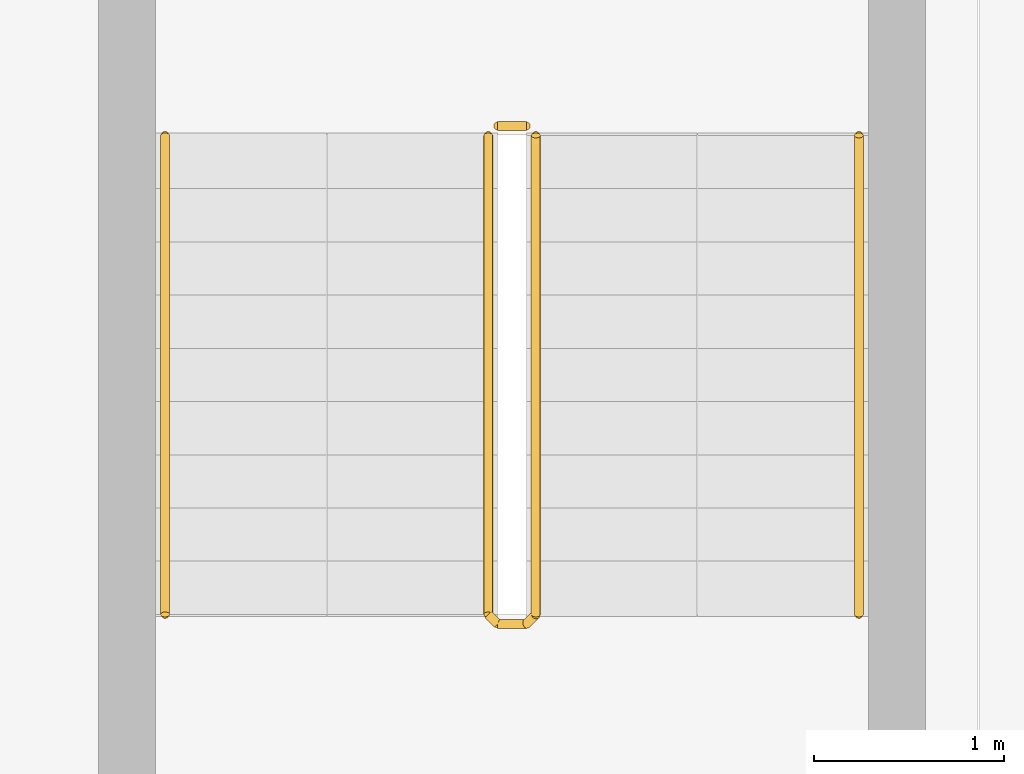
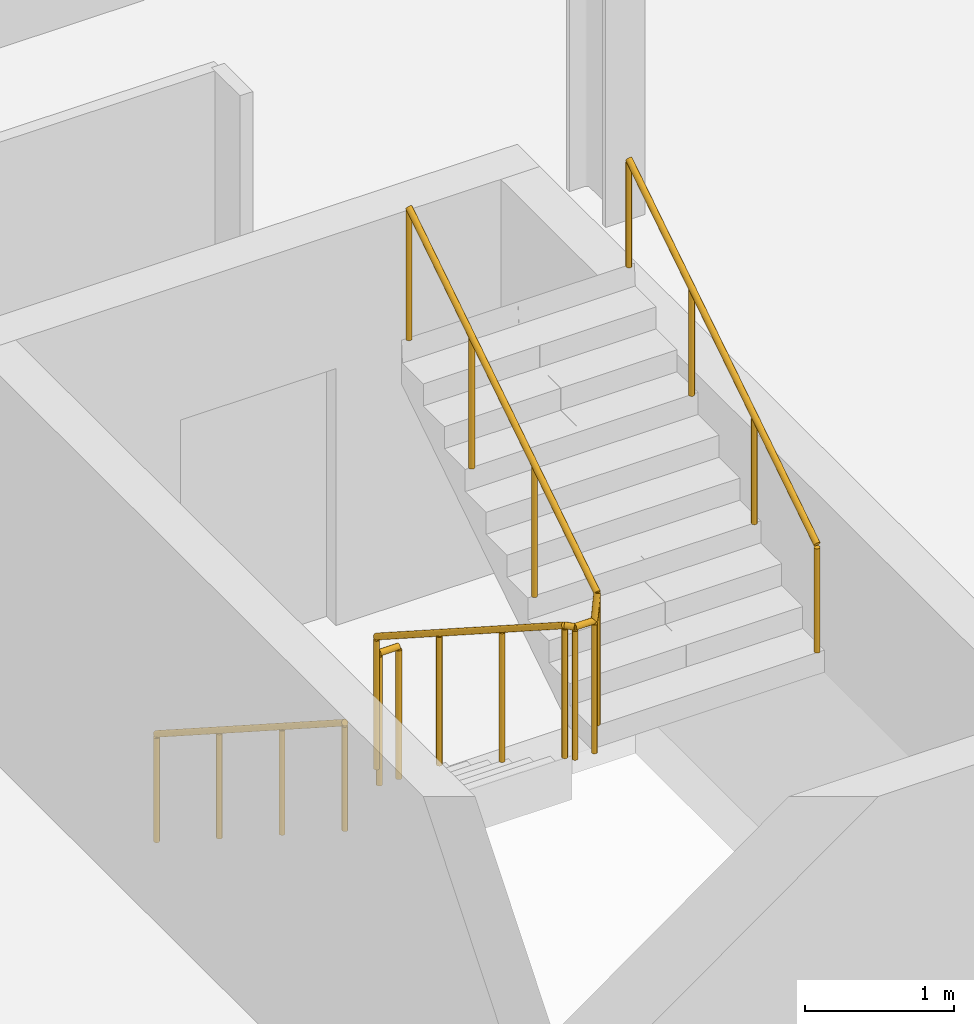
# One storey, part 25 of 27: 4 railings.
"""IFC4 building model written with IfcOpenShell, lengths in metres."""

import ifcopenshell
import ifcopenshell.guid

model = None  # the IFC model being written
_history = None  # IfcOwnerHistory: only IFC2X3 demands one
_inside = {}  # id of a spatial element -> (the spatial element, [elements in it])
_under = {}  # id of a project, library or spatial element -> (it, [spatial elements below it])
_declared = {}  # id of a project -> (the project, [libraries it declares])
_typed = {}  # id of a type object -> (the type object, [elements of that type])
_made_of = {}  # id of a material, layer set ... -> (it, [elements and type objects made of it])


def new_model(schema):
    """Start an empty IFC model of exactly this schema.

    Asked for "IFC4X3", IfcOpenShell would pick the latest addendum, in which some entities
    have other attributes; the version numbers below select the first issue.
    IFC2X3 requires an IfcOwnerHistory on every rooted entity: one is made here for all.
    """
    global model, _history
    if schema == "IFC4X3":
        model = ifcopenshell.file(schema_version=(4, 3, 0, 0))
    else:
        model = ifcopenshell.file(schema=schema)
    _inside.clear()
    _under.clear()
    _declared.clear()
    _typed.clear()
    _made_of.clear()
    _history = None
    if model.schema == "IFC2X3":
        org = make("IfcOrganization", Name="unknown")
        user = make(
            "IfcPersonAndOrganization",
            ThePerson=make("IfcPerson", FamilyName="unknown"),
            TheOrganization=org,
        )
        app = make(
            "IfcApplication",
            ApplicationDeveloper=org,
            Version="unknown",
            ApplicationFullName="unknown",
            ApplicationIdentifier="unknown",
        )
        _history = make(
            "IfcOwnerHistory",
            OwningUser=user,
            OwningApplication=app,
            ChangeAction="ADDED",
            CreationDate=0,
        )
    return model


def make(cls, **values):
    """One entity of the class cls with the attributes given. An attribute that is None is left unset."""
    return model.create_entity(
        cls, **{name: value for name, value in values.items() if value is not None}
    )


def rooted(cls, **values):
    """An entity with a GlobalId (a new one), such as an element, a storey or a relation."""
    return make(cls, GlobalId=ifcopenshell.guid.new(), OwnerHistory=_history, **values)


def si_unit(unit_type, name, prefix=None):
    """IfcSIUnit, for example si_unit("LENGTHUNIT", "METRE", prefix="MILLI")."""
    return make("IfcSIUnit", UnitType=unit_type, Prefix=prefix, Name=name)


def assignment(units):
    """IfcUnitAssignment: the units of a project."""
    return None if units is None else make("IfcUnitAssignment", Units=units)


def point(xyz):
    """IfcCartesianPoint."""
    return None if xyz is None else make("IfcCartesianPoint", Coordinates=xyz)


def direction(xyz):
    """IfcDirection."""
    return None if xyz is None else make("IfcDirection", DirectionRatios=xyz)


def frame(location, z_axis=None, x_axis=None):
    """IfcAxis2Placement3D, a coordinate frame: its origin and axes. An axis left out is left unset."""
    return make(
        "IfcAxis2Placement3D",
        Location=point(location),
        Axis=direction(z_axis),
        RefDirection=direction(x_axis),
    )


def frame_2d(location, x_axis=None):
    """IfcAxis2Placement2D, a coordinate frame in the plane: its origin and x axis."""
    return make(
        "IfcAxis2Placement2D", Location=point(location), RefDirection=direction(x_axis)
    )


def origin():
    """The frame at (0, 0, 0) with its axes left unset."""
    return frame((0.0, 0.0, 0.0))


def origin_2d():
    """The frame at (0, 0) in the plane with its x axis left unset."""
    return frame_2d((0.0, 0.0))


def place(relative_to, where):
    """IfcLocalPlacement: puts the frame where relative to a parent placement (None: the world)."""
    return make(
        "IfcLocalPlacement", PlacementRelTo=relative_to, RelativePlacement=where
    )


def context(
    kind, dimensions, precision=None, world=None, true_north=None, identifier=None
):
    """IfcGeometricRepresentationContext, for example the 3D "Model" context."""
    return make(
        "IfcGeometricRepresentationContext",
        ContextIdentifier=identifier,
        ContextType=kind,
        CoordinateSpaceDimension=dimensions,
        Precision=precision,
        WorldCoordinateSystem=world,
        TrueNorth=true_north,
    )


def subcontext(parent, identifier, kind, view, scale=None):
    """IfcGeometricRepresentationSubContext, for example "Body" below "Model"."""
    return make(
        "IfcGeometricRepresentationSubContext",
        ContextIdentifier=identifier,
        ContextType=kind,
        ParentContext=parent,
        TargetScale=scale,
        TargetView=view,
    )


def project(units=None, contexts=None):
    """IfcProject with its units and contexts."""
    return rooted(
        "IfcProject",
        Name="project",
        RepresentationContexts=contexts,
        UnitsInContext=assignment(units),
    )


def spatial(cls, under=None, at=None, **own):
    """A site, building, storey or space (cls), placed at a placement, below another one or the project."""
    s = rooted(cls, ObjectPlacement=at, **own)
    if under is not None:
        _under.setdefault(under.id(), (under, []))[1].append(s)
    return s


def profile(cls, at=None, kind="AREA", **sizes):
    """A parametric profile (cls). Its sizes go by their IFC names, for example OverallWidth=200.0."""
    return make(cls, ProfileType=kind, Position=at, **sizes)


def circle(**sizes):
    """IfcCircleProfileDef."""
    return profile("IfcCircleProfileDef", **sizes)


def extrude(swept, where, along, depth):
    """IfcExtrudedAreaSolid: the profile swept, set in the frame where, extruded along a direction by depth."""
    return make(
        "IfcExtrudedAreaSolid",
        SweptArea=swept,
        Position=where,
        ExtrudedDirection=direction(along),
        Depth=depth,
    )


def shape(context_of_items, identifier, shape_type, items):
    """IfcShapeRepresentation: the items that make up one representation, for example the "Body"."""
    return make(
        "IfcShapeRepresentation",
        ContextOfItems=context_of_items,
        RepresentationIdentifier=identifier,
        RepresentationType=shape_type,
        Items=items,
    )


def material(Name=None, Category=None):
    """IfcMaterial."""
    return make("IfcMaterial", Name=Name, Category=Category)


def made_of(thing, what):
    """Note that an element or type object is made of a material, layer set ...; save() writes the relation."""
    if what is not None:
        _made_of.setdefault(what.id(), (what, []))[1].append(thing)
    return thing


def type_object(cls, material=None, **own):
    """A type object (cls), such as IfcWallType, which elements share."""
    return made_of(rooted(cls, **own), material)


def element(
    cls,
    number,
    at=None,
    inside=None,
    cuts=None,
    type_object=None,
    material=None,
    context=None,
    identifier="Body",
    shape_type=None,
    held_by="IfcProductDefinitionShape",
    body=None,
    shapes=None,
    **own,
):
    """One element of the class cls, such as IfcWall. Its Tag is "e" and its number.

    at: its placement. inside: the storey or other place that contains it. cuts: it is an
    opening in that element (IfcRelVoidsElement). A single representation is given by context,
    identifier, shape_type and body (its items); several are given by shapes. held_by: the class
    of the entity that holds the representations. save() writes the other relations.
    """
    e = rooted(cls, Tag="e%d" % number, ObjectPlacement=at, **own)
    if body is not None:
        shapes = [shape(context, identifier, shape_type, body)]
    if shapes is not None:
        e.Representation = make(held_by, Representations=shapes)
    if inside is not None:
        _inside.setdefault(inside.id(), (inside, []))[1].append(e)
    if cuts is not None:
        rooted(
            "IfcRelVoidsElement", RelatingBuildingElement=cuts, RelatedOpeningElement=e
        )
    if type_object is not None:
        _typed.setdefault(type_object.id(), (type_object, []))[1].append(e)
    return made_of(e, material)


def aggregate(whole, parts):
    """IfcRelAggregates: a whole, such as a stair, and the parts it consists of."""
    return rooted("IfcRelAggregates", RelatingObject=whole, RelatedObjects=parts)


def save(model, path):
    """Write the relations noted so far, then the file.

    IfcRelAggregates (storeys below a building ...), IfcRelContainedInSpatialStructure (elements
    in a storey), IfcRelDefinesByType, IfcRelAssociatesMaterial and IfcRelDeclares: one each for
    every whole, place, type object, material and project.
    """
    for whole, parts in _under.values():
        aggregate(whole, parts)
    for where, things in _inside.values():
        rooted(
            "IfcRelContainedInSpatialStructure",
            RelatedElements=things,
            RelatingStructure=where,
        )
    for kind, things in _typed.values():
        rooted("IfcRelDefinesByType", RelatedObjects=things, RelatingType=kind)
    for what, things in _made_of.values():
        rooted("IfcRelAssociatesMaterial", RelatedObjects=things, RelatingMaterial=what)
    for by, libraries in _declared.values():
        rooted("IfcRelDeclares", RelatingContext=by, RelatedDefinitions=libraries)
    model.write(path)


model = new_model("IFC4")

# Units and contexts
model_context = context("Model", 3, precision=1e-05, world=origin(), true_north=direction((0.0, 1.0)))
body_context = subcontext(model_context, "Body", "Model", "MODEL_VIEW")
ifc_project = project(units=[si_unit("LENGTHUNIT", "METRE"), si_unit("AREAUNIT", "SQUARE_METRE"), si_unit("VOLUMEUNIT", "CUBIC_METRE"), si_unit("PLANEANGLEUNIT", "RADIAN"), si_unit("MASSUNIT", "GRAM", prefix="KILO")], contexts=[model_context])

# Site, building, storey
site_placement = place(None, origin())
site = spatial("IfcSite", under=ifc_project, at=site_placement, CompositionType="ELEMENT")
building_placement = place(site_placement, origin())
building = spatial("IfcBuilding", under=site, at=building_placement, Name="Wharfspan Tower", CompositionType="ELEMENT")
storey_placement = place(building_placement, frame((0.0, 0.0, 111.100098)))
storey = spatial("IfcBuildingStorey", under=building, at=storey_placement, Name="L25", CompositionType="ELEMENT", Elevation=111.100098)

# Railings
ifc_material = material(Name="Steel S355J2", Category="steel")
railing_type_1 = type_object("IfcRailingType", Name="Stair guard 1100", PredefinedType="GUARDRAIL", material=ifc_material)
railing_1_placement = place(storey_placement, frame((43.235352, 6.316895, 0.179932)))
element("IfcRailing", 1, at=railing_1_placement, inside=storey, type_object=railing_type_1, Name="L25 ST4 stair guard 1", PredefinedType="GUARDRAIL", context=body_context, shape_type="SweptSolid", body=[
    extrude(circle(Radius=0.023926, at=origin_2d()), frame((0.0, 0.0, 1.076172), z_axis=(0.0, -0.8412, 0.540725), x_axis=(1.0, 0.0, 0.0)), (0.0, 0.0, 1.0), 2.99585),
    extrude(circle(Radius=0.023926, at=origin_2d()), frame((0.0, -2.52002, 2.695801), z_axis=(0.707107, -0.707107, 0.0), x_axis=(0.707107, 0.707107, 0.0)), (0.0, 0.0, 1.0), 0.070312),
    extrude(circle(Radius=0.023926, at=origin_2d()), frame((0.049805, -2.569824, 2.695801), z_axis=(1.0, 0.0, 0.0), x_axis=(0.0, 1.0, 0.0)), (0.0, 0.0, 1.0), 0.150146),
    extrude(circle(Radius=0.023926, at=origin_2d()), frame((0.199951, -2.569824, 2.695801), z_axis=(0.258628, 0.257366, 0.931061), x_axis=(-0.705372, 0.708838, -2e-06)), (0.0, 0.0, 1.0), 0.193604),
    extrude(circle(Radius=0.023926, at=origin_2d()), frame((0.25, -2.52002, 2.875977), z_axis=(0.0, 0.8412, 0.540725), x_axis=(-1.0, 0.0, 0.0)), (0.0, 0.0, 1.0), 2.99585),
    extrude(circle(Radius=0.020996, at=origin_2d()), origin(), (0.0, 0.0, 1.0), 1.052002),
    extrude(circle(Radius=0.020996, at=origin_2d()), frame((0.0, -0.840088, 0.540039)), (0.0, 0.0, 1.0), 1.052002),
    extrude(circle(Radius=0.020996, at=origin_2d()), frame((0.0, -1.679932, 1.079834)), (0.0, 0.0, 1.0), 1.052002),
    extrude(circle(Radius=0.020996, at=origin_2d()), frame((0.0, -2.52002, 1.619873)), (0.0, 0.0, 1.0), 1.052002),
    extrude(circle(Radius=0.020996, at=origin_2d()), frame((0.049805, -2.569824, 1.619873)), (0.0, 0.0, 1.0), 1.052002),
    extrude(circle(Radius=0.020996, at=origin_2d()), frame((0.199951, -2.569824, 1.619873)), (0.0, 0.0, 1.0), 1.052002),
    extrude(circle(Radius=0.020996, at=origin_2d()), frame((0.25, -2.52002, 1.800049)), (0.0, 0.0, 1.0), 1.052002),
    extrude(circle(Radius=0.020996, at=origin_2d()), frame((0.25, -1.679932, 2.340088)), (0.0, 0.0, 1.0), 1.052002),
    extrude(circle(Radius=0.020996, at=origin_2d()), frame((0.25, -0.840088, 2.879883)), (0.0, 0.0, 1.0), 1.052002),
    extrude(circle(Radius=0.020996, at=origin_2d()), frame((0.25, 0.0, 3.419922)), (0.0, 0.0, 1.0), 1.052002),
])
railing_2_placement = place(storey_placement, frame((43.285156, 6.366943, 0.0)))
element("IfcRailing", 2, at=railing_2_placement, inside=storey, type_object=railing_type_1, Name="L25 ST4 stair guard 2", PredefinedType="GUARDRAIL", context=body_context, shape_type="SweptSolid", body=[
    extrude(circle(Radius=0.023926, at=origin_2d()), frame((0.0, 0.0, 1.076172), z_axis=(1.0, 0.0, 0.0), x_axis=(0.0, 1.0, 0.0)), (0.0, 0.0, 1.0), 0.150146),
    extrude(circle(Radius=0.020996, at=origin_2d()), origin(), (0.0, 0.0, 1.0), 1.052002),
    extrude(circle(Radius=0.020996, at=origin_2d()), frame((0.150146, 0.0, 0.0)), (0.0, 0.0, 1.0), 1.052002),
])
railing_type_2 = type_object("IfcRailingType", Name="Stair handrail 900", PredefinedType="HANDRAIL", material=ifc_material)
railing_3_placement = place(storey_placement, frame((41.535156, 6.316895, 0.179932)))
element("IfcRailing", 3, at=railing_3_placement, inside=storey, type_object=railing_type_2, Name="L25 ST4 stair handrail 1", PredefinedType="HANDRAIL", context=body_context, shape_type="SweptSolid", body=[
    extrude(circle(Radius=0.023926, at=origin_2d()), frame((0.0, 0.0, 0.875977), z_axis=(0.0, -0.8412, 0.540725), x_axis=(1.0, 0.0, 0.0)), (0.0, 0.0, 1.0), 2.99585),
    extrude(circle(Radius=0.020996, at=origin_2d()), origin(), (0.0, 0.0, 1.0), 0.851807),
    extrude(circle(Radius=0.020996, at=origin_2d()), frame((0.0, -0.840088, 0.540039)), (0.0, 0.0, 1.0), 0.851807),
    extrude(circle(Radius=0.020996, at=origin_2d()), frame((0.0, -1.679932, 1.079834)), (0.0, 0.0, 1.0), 0.851807),
    extrude(circle(Radius=0.020996, at=origin_2d()), frame((0.0, -2.52002, 1.619873)), (0.0, 0.0, 1.0), 0.851807),
])
railing_4_placement = place(storey_placement, frame((45.185303, 3.796875, 1.97998)))
element("IfcRailing", 4, at=railing_4_placement, inside=storey, type_object=railing_type_2, Name="L25 ST4 stair handrail 2", PredefinedType="HANDRAIL", context=body_context, shape_type="SweptSolid", body=[
    extrude(circle(Radius=0.023926, at=origin_2d()), frame((0.0, 0.0, 0.875977), z_axis=(0.0, 0.8412, 0.540725), x_axis=(-1.0, 0.0, 0.0)), (0.0, 0.0, 1.0), 2.99585),
    extrude(circle(Radius=0.020996, at=origin_2d()), origin(), (0.0, 0.0, 1.0), 0.851807),
    extrude(circle(Radius=0.020996, at=origin_2d()), frame((0.0, 0.840088, 0.540039)), (0.0, 0.0, 1.0), 0.851807),
    extrude(circle(Radius=0.020996, at=origin_2d()), frame((0.0, 1.679932, 1.079834)), (0.0, 0.0, 1.0), 0.851807),
    extrude(circle(Radius=0.020996, at=origin_2d()), frame((0.0, 2.52002, 1.619873)), (0.0, 0.0, 1.0), 0.851807),
])

save(model, "model.ifc")
